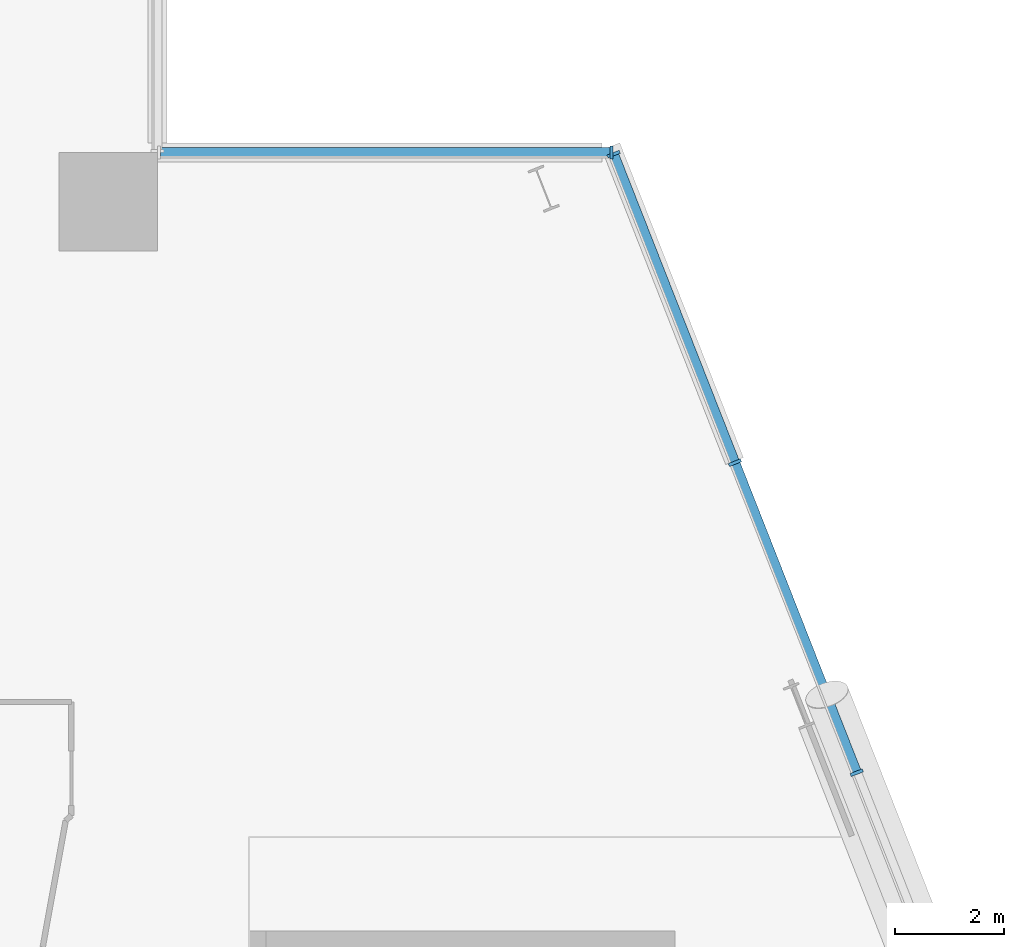
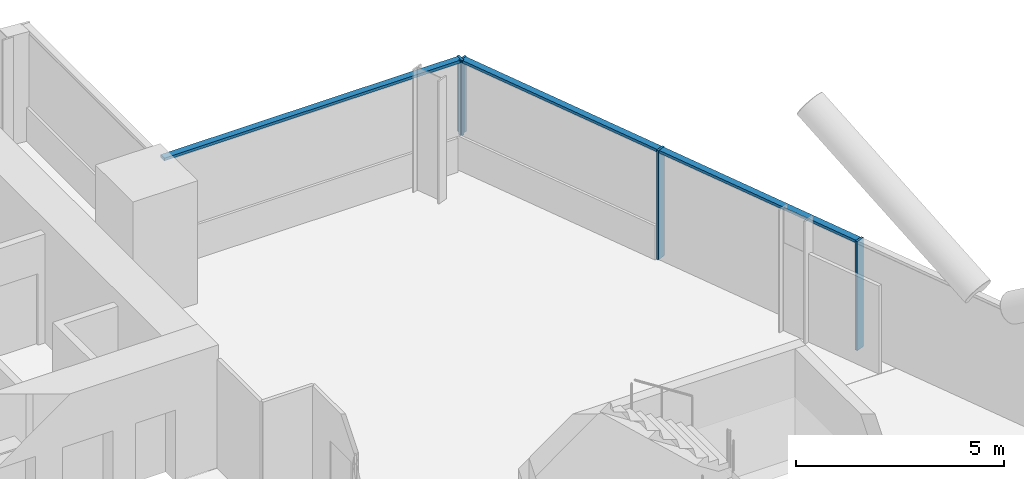
# One storey, part 11 of 26: 7 members, 2 elements without a shape of their own.
"""IFC4 building model written with IfcOpenShell, lengths in metres."""

from ifc_helpers import new_model, si_unit, direction, frame, origin, origin_2d, place, context, subcontext, project, spatial, rectangle, extrude, material, material_profile, profile_set, type_object, element, aggregate, save


model = new_model("IFC4")

# Units and contexts
model_context = context("Model", 3, precision=1e-05, world=origin(), true_north=direction((0.0, 1.0)))
body_context = subcontext(model_context, "Body", "Model", "MODEL_VIEW")
ifc_project = project(units=[si_unit("LENGTHUNIT", "METRE"), si_unit("AREAUNIT", "SQUARE_METRE"), si_unit("VOLUMEUNIT", "CUBIC_METRE"), si_unit("PLANEANGLEUNIT", "RADIAN"), si_unit("MASSUNIT", "GRAM", prefix="KILO")], contexts=[model_context])

# Site, building, storey
site_placement = place(None, origin())
site = spatial("IfcSite", under=ifc_project, at=site_placement, CompositionType="ELEMENT")
building_placement = place(site_placement, origin())
building = spatial("IfcBuilding", under=site, at=building_placement, Name="Wharfspan Tower", CompositionType="ELEMENT")
storey_placement = place(building_placement, frame((0.0, 0.0, 125.5)))
storey = spatial("IfcBuildingStorey", under=building, at=storey_placement, Name="L29", CompositionType="ELEMENT", Elevation=125.5)

# Curtain wall, members
ifc_material = material(Name="Aluminium 6063-T6", Category="aluminium")
curtain_wall_type = type_object("IfcCurtainWallType", Name="CURTAIN WALL PROW AND END", PredefinedType="NOTDEFINED", material=ifc_material)
curtain_wall_1_placement = place(storey_placement, origin())
curtain_wall_1 = element("IfcCurtainWall", 1, at=curtain_wall_1_placement, inside=storey, type_object=curtain_wall_type, Name="Curtain wall E", PredefinedType="NOTDEFINED")
ifc_material_profile_1 = material_profile(ifc_material, rectangle(XDim=0.23999, YDim=0.060059, at=origin_2d()))
ifc_profile_set_1 = profile_set([ifc_material_profile_1], Name="Aluminium 6063-T6")
member_type_1 = type_object("IfcMemberType", Name="MULLION PROW AND END 60x240", PredefinedType="MULLION", material=ifc_profile_set_1)
member_1_placement = place(storey_placement, frame((80.827148, 30.628662, 0.0), z_axis=(0.0, 0.0, 1.0), x_axis=(-0.930702, -0.365778, 0.0)))
member_1 = element("IfcMember", 2, at=member_1_placement, type_object=member_type_1, Name="Curtain wall E mullion 6", PredefinedType="MULLION", context=body_context, shape_type="SweptSolid", body=[
    extrude(rectangle(XDim=0.23999, YDim=0.060059, at=origin_2d()), origin(), (0.0, 0.0, 1.0), 3.199951),
])
member_2_placement = place(storey_placement, frame((78.592529, 36.314209, 0.0), z_axis=(0.0, 0.0, 1.0), x_axis=(-0.930702, -0.365778, 0.0)))
member_2 = element("IfcMember", 3, at=member_2_placement, type_object=member_type_1, Name="Curtain wall E mullion 7", PredefinedType="MULLION", context=body_context, shape_type="SweptSolid", body=[
    extrude(rectangle(XDim=0.23999, YDim=0.060059, at=origin_2d()), origin(), (0.0, 0.0, 1.0), 3.199951),
])
member_3_placement = place(storey_placement, frame((76.369141, 41.972168, 1.0), z_axis=(0.0, 0.0, 1.0), x_axis=(-0.930702, -0.365778, 0.0)))
member_3 = element("IfcMember", 4, at=member_3_placement, type_object=member_type_1, Name="Curtain wall E mullion 8", PredefinedType="MULLION", context=body_context, shape_type="SweptSolid", body=[
    extrude(rectangle(XDim=0.23999, YDim=0.060059, at=origin_2d()), origin(), (0.0, 0.0, 1.0), 2.199951),
])

# Curtain wall, member
curtain_wall_2_placement = place(storey_placement, origin())
curtain_wall_2 = element("IfcCurtainWall", 5, at=curtain_wall_2_placement, inside=storey, type_object=curtain_wall_type, Name="Curtain wall NRE-H", PredefinedType="NOTDEFINED")
member_4_placement = place(storey_placement, frame((76.328125, 42.0, 1.0), z_axis=(0.0, 0.0, 1.0), x_axis=(0.0, -1.0, 0.0)))
member_4 = element("IfcMember", 6, at=member_4_placement, type_object=member_type_1, Name="Curtain wall NRE-H mullion 1", PredefinedType="MULLION", context=body_context, shape_type="SweptSolid", body=[
    extrude(rectangle(XDim=0.23999, YDim=0.060059, at=origin_2d()), origin(), (0.0, 0.0, 1.0), 2.199951),
])

# Member
ifc_material_profile_2 = material_profile(ifc_material, rectangle(XDim=0.179932, YDim=0.080078, at=origin_2d()))
ifc_profile_set_2 = profile_set([ifc_material_profile_2], Name="Aluminium 6063-T6")
member_type_2 = type_object("IfcMemberType", Name="TRANSOM PROW AND END 80x180", PredefinedType="USERDEFINED", material=ifc_profile_set_2)
member_5_placement = place(storey_placement, frame((80.816162, 30.656494, 3.159912), z_axis=(-0.365782, 0.9307, 0.0), x_axis=(-0.9307, -0.365782, 0.0)))
member_5 = element("IfcMember", 7, at=member_5_placement, type_object=member_type_2, Name="Curtain wall E transom 6", ObjectType="TRANSOM", PredefinedType="USERDEFINED", context=body_context, shape_type="SweptSolid", body=[
    extrude(rectangle(XDim=0.179932, YDim=0.080078, at=origin_2d()), origin(), (0.0, 0.0, 1.0), 6.049072),
])

member_6_placement = place(storey_placement, frame((78.581787, 36.342285, 3.159912), z_axis=(-0.365789, 0.930698, 0.0), x_axis=(-0.930698, -0.365789, 0.0)))
member_6 = element("IfcMember", 8, at=member_6_placement, type_object=member_type_2, Name="Curtain wall E transom 7", ObjectType="TRANSOM", PredefinedType="USERDEFINED", context=body_context, shape_type="SweptSolid", body=[
    extrude(rectangle(XDim=0.179932, YDim=0.080078, at=origin_2d()), origin(), (0.0, 0.0, 1.0), 6.019043),
])

aggregate(curtain_wall_1, [member_1, member_2, member_3, member_5, member_6])

member_7_placement = place(storey_placement, frame((76.298096, 42.0, 3.159912), z_axis=(-1.0, 0.0, 0.0), x_axis=(0.0, -1.0, 0.0)))
member_7 = element("IfcMember", 9, at=member_7_placement, type_object=member_type_2, Name="Curtain wall NRE-H transom 1", ObjectType="TRANSOM", PredefinedType="USERDEFINED", context=body_context, shape_type="SweptSolid", body=[
    extrude(rectangle(XDim=0.179932, YDim=0.080078, at=origin_2d()), origin(), (0.0, 0.0, 1.0), 8.238037),
])

aggregate(curtain_wall_2, [member_4, member_7])

save(model, "model.ifc")
